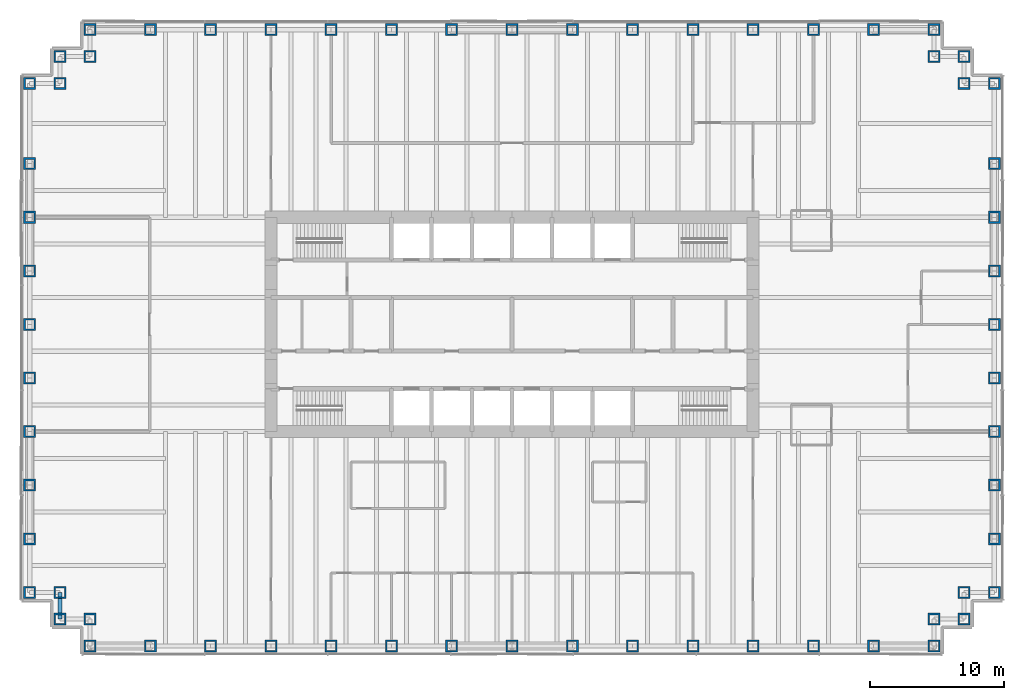
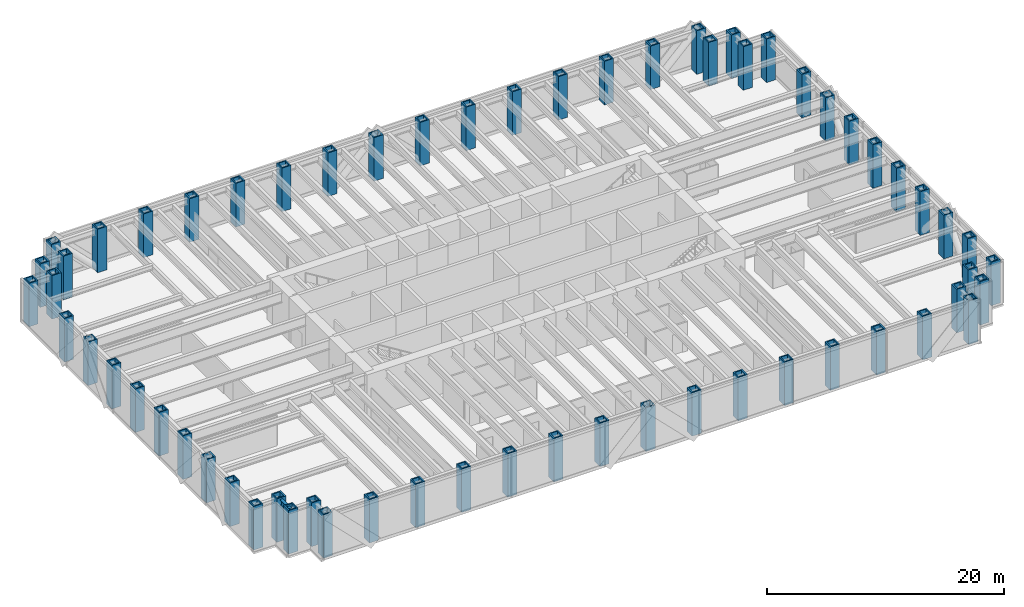
# One storey, part 1 of 13: 62 columns, 1 beam.
"""IFC4 building model written with IfcOpenShell, lengths in metres."""

from ifc_helpers import new_model, si_unit, direction, frame, origin, origin_2d, place, context, subcontext, project, spatial, hollow_rectangle, i_section, extrude, material, material_profile, profile_set, type_object, element, save


model = new_model("IFC4")

# Units and contexts
model_context = context("Model", 3, precision=1e-05, world=origin(), true_north=direction((0.0, 1.0)))
body_context = subcontext(model_context, "Body", "Model", "MODEL_VIEW")
ifc_project = project(units=[si_unit("LENGTHUNIT", "METRE"), si_unit("AREAUNIT", "SQUARE_METRE"), si_unit("VOLUMEUNIT", "CUBIC_METRE"), si_unit("PLANEANGLEUNIT", "RADIAN"), si_unit("MASSUNIT", "GRAM", prefix="KILO")], contexts=[model_context])

# Site, building, storey
site_placement = place(None, origin())
site = spatial("IfcSite", under=ifc_project, at=site_placement, CompositionType="ELEMENT")
building_placement = place(site_placement, origin())
building = spatial("IfcBuilding", under=site, at=building_placement, Name="Rheinbord Bourse Tower", CompositionType="ELEMENT")
storey_placement = place(building_placement, frame((0.0, 0.0, 27.5)))
storey = spatial("IfcBuildingStorey", under=building, at=storey_placement, Name="L05", CompositionType="ELEMENT", Elevation=27.5)

# Columns
ifc_material_1 = material(Name="Steel S460M", Category="steel")
ifc_material_profile_1 = material_profile(ifc_material_1, hollow_rectangle(XDim=0.89990234375, YDim=0.89990234375, WallThickness=0.1201171875, at=origin_2d()), Name="BOX 900x900x120")
ifc_profile_set_1 = profile_set([ifc_material_profile_1], Name="Steel S460M")
column_type = type_object("IfcColumnType", Name="TUBE COLUMN BOX 900x900x120", PredefinedType="COLUMN", material=ifc_profile_set_1)
for number, where, z_axis, x_axis, name in (
    (1, (4.5, 0.0, 0.0), (0.0, 0.0, 1.0), (0.0, 1.0, 0.0), "Column SW-E L05"),
    (2, (9.0, 0.0, 0.0), (0.0, 0.0, 1.0), (0.0, 1.0, 0.0), "Column S-9 L05"),
    (3, (13.5, 0.0, 0.0), (0.0, 0.0, 1.0), (0.0, 1.0, 0.0), "Column S-13.5 L05"),
    (4, (18.0, 0.0, 0.0), (0.0, 0.0, 1.0), (0.0, 1.0, 0.0), "Column S-18 L05"),
    (5, (22.5, 0.0, 0.0), (0.0, 0.0, 1.0), (0.0, 1.0, 0.0), "Column S-22.5 L05"),
    (6, (27.0, 0.0, 0.0), (0.0, 0.0, 1.0), (0.0, 1.0, 0.0), "Column S-27 L05"),
    (7, (31.5, 0.0, 0.0), (0.0, 0.0, 1.0), (0.0, 1.0, 0.0), "Column S-31.5 L05"),
    (8, (36.0, 0.0, 0.0), (0.0, 0.0, 1.0), (0.0, 1.0, 0.0), "Column S-36 L05"),
    (9, (40.5, 0.0, 0.0), (0.0, 0.0, 1.0), (0.0, 1.0, 0.0), "Column S-40.5 L05"),
    (10, (45.0, 0.0, 0.0), (0.0, 0.0, 1.0), (0.0, 1.0, 0.0), "Column S-45 L05"),
    (11, (49.5, 0.0, 0.0), (0.0, 0.0, 1.0), (0.0, 1.0, 0.0), "Column S-49.5 L05"),
    (12, (54.0, 0.0, 0.0), (0.0, 0.0, 1.0), (0.0, 1.0, 0.0), "Column S-54 L05"),
    (13, (58.5, 0.0, 0.0), (0.0, 0.0, 1.0), (0.0, 1.0, 0.0), "Column S-58.5 L05"),
    (14, (63.0, 0.0, 0.0), (0.0, 0.0, 1.0), (0.0, 1.0, 0.0), "Column S-63 L05"),
    (15, (67.5, 0.0, 0.0), (0.0, 0.0, 1.0), (0.0, 1.0, 0.0), "Column SE-E L05"),
    (16, (67.5, 2.0, 0.0), (0.0, 0.0, 1.0), (0.0, 1.0, 0.0), "Column SE-D L05"),
    (17, (69.75, 2.0, 0.0), (0.0, 0.0, 1.0), (1.0, 0.0, 0.0), "Column SE-C L05"),
    (18, (69.75, 4.0, 0.0), (0.0, 0.0, 1.0), (1.0, 0.0, 0.0), "Column SE-B L05"),
    (19, (72.0, 4.0, 0.0), (0.0, 0.0, 1.0), (1.0, 0.0, 0.0), "Column SE-A L05"),
    (20, (72.0, 8.0, 0.0), (0.0, 0.0, 1.0), (1.0, 0.0, 0.0), "Column E-8 L05"),
    (21, (72.0, 12.0, 0.0), (0.0, 0.0, 1.0), (1.0, 0.0, 0.0), "Column E-12 L05"),
    (22, (72.0, 16.0, 0.0), (0.0, 0.0, 1.0), (1.0, 0.0, 0.0), "Column E-16 L05"),
    (23, (72.0, 20.0, 0.0), (0.0, 0.0, 1.0), (1.0, 0.0, 0.0), "Column E-20 L05"),
    (24, (72.0, 24.0, 0.0), (0.0, 0.0, 1.0), (1.0, 0.0, 0.0), "Column E-24 L05"),
    (25, (72.0, 28.0, 0.0), (0.0, 0.0, 1.0), (1.0, 0.0, 0.0), "Column E-28 L05"),
    (26, (72.0, 32.0, 0.0), (0.0, 0.0, 1.0), (1.0, 0.0, 0.0), "Column E-32 L05"),
    (27, (72.0, 36.0, 0.0), (0.0, 0.0, 1.0), (1.0, 0.0, 0.0), "Column E-36 L05"),
    (28, (72.0, 42.0, 0.0), (0.0, 0.0, 1.0), (1.0, 0.0, 0.0), "Column NE-A L05"),
    (29, (69.75, 42.0, 0.0), (0.0, 0.0, 1.0), (1.0, 0.0, 0.0), "Column NE-B L05"),
    (30, (69.75, 44.0, 0.0), (0.0, 0.0, 1.0), (1.0, 0.0, 0.0), "Column NE-C L05"),
    (31, (67.5, 44.0, 0.0), (0.0, 0.0, 1.0), (0.0, 1.0, 0.0), "Column NE-D L05"),
    (32, (67.5, 46.0, 0.0), (0.0, 0.0, 1.0), (0.0, 1.0, 0.0), "Column NE-E L05"),
    (33, (63.0, 46.0, 0.0), (0.0, 0.0, 1.0), (0.0, 1.0, 0.0), "Column N-63 L05"),
    (34, (58.5, 46.0, 0.0), (0.0, 0.0, 1.0), (0.0, 1.0, 0.0), "Column N-58.5 L05"),
    (35, (54.0, 46.0, 0.0), (0.0, 0.0, 1.0), (0.0, 1.0, 0.0), "Column N-54 L05"),
    (36, (49.5, 46.0, 0.0), (0.0, 0.0, 1.0), (0.0, 1.0, 0.0), "Column N-49.5 L05"),
    (37, (45.0, 46.0, 0.0), (0.0, 0.0, 1.0), (0.0, 1.0, 0.0), "Column N-45 L05"),
    (38, (40.5, 46.0, 0.0), (0.0, 0.0, 1.0), (0.0, 1.0, 0.0), "Column N-40.5 L05"),
    (39, (36.0, 46.0, 0.0), (0.0, 0.0, 1.0), (0.0, 1.0, 0.0), "Column N-36 L05"),
    (40, (31.5, 46.0, 0.0), (0.0, 0.0, 1.0), (0.0, 1.0, 0.0), "Column N-31.5 L05"),
    (41, (27.0, 46.0, 0.0), (0.0, 0.0, 1.0), (0.0, 1.0, 0.0), "Column N-27 L05"),
    (42, (22.5, 46.0, 0.0), (0.0, 0.0, 1.0), (0.0, 1.0, 0.0), "Column N-22.5 L05"),
    (43, (18.0, 46.0, 0.0), (0.0, 0.0, 1.0), (0.0, 1.0, 0.0), "Column N-18 L05"),
    (44, (13.5, 46.0, 0.0), (0.0, 0.0, 1.0), (0.0, 1.0, 0.0), "Column N-13.5 L05"),
    (45, (9.0, 46.0, 0.0), (0.0, 0.0, 1.0), (0.0, 1.0, 0.0), "Column N-9 L05"),
    (46, (4.5, 46.0, 0.0), (0.0, 0.0, 1.0), (0.0, 1.0, 0.0), "Column NW-E L05"),
    (47, (4.5, 44.0, 0.0), (0.0, 0.0, 1.0), (0.0, 1.0, 0.0), "Column NW-D L05"),
    (48, (2.25, 44.0, 0.0), (0.0, 0.0, 1.0), (1.0, 0.0, 0.0), "Column NW-C L05"),
    (49, (2.25, 42.0, 0.0), (0.0, 0.0, 1.0), (1.0, 0.0, 0.0), "Column NW-B L05"),
    (50, (0.0, 42.0, 0.0), (0.0, 0.0, 1.0), (1.0, 0.0, 0.0), "Column NW-A L05"),
    (51, (0.0, 36.0, 0.0), (0.0, 0.0, 1.0), (1.0, 0.0, 0.0), "Column W-36 L05"),
    (52, (0.0, 32.0, 0.0), (0.0, 0.0, 1.0), (1.0, 0.0, 0.0), "Column W-32 L05"),
    (53, (0.0, 28.0, 0.0), (0.0, 0.0, 1.0), (1.0, 0.0, 0.0), "Column W-28 L05"),
    (54, (0.0, 24.0, 0.0), (0.0, 0.0, 1.0), (1.0, 0.0, 0.0), "Column W-24 L05"),
    (55, (0.0, 20.0, 0.0), (0.0, 0.0, 1.0), (1.0, 0.0, 0.0), "Column W-20 L05"),
    (56, (0.0, 16.0, 0.0), (0.0, 0.0, 1.0), (1.0, 0.0, 0.0), "Column W-16 L05"),
    (57, (0.0, 12.0, 0.0), (0.0, 0.0, 1.0), (1.0, 0.0, 0.0), "Column W-12 L05"),
    (58, (0.0, 8.0, 0.0), (0.0, 0.0, 1.0), (1.0, 0.0, 0.0), "Column W-8 L05"),
    (59, (0.0, 4.0, 0.0), (0.0, 0.0, 1.0), (1.0, 0.0, 0.0), "Column SW-A L05"),
    (60, (2.25, 4.0, 0.0), (0.0, 0.0, 1.0), (1.0, 0.0, 0.0), "Column SW-B L05"),
    (61, (2.25, 2.0, 0.0), (0.0, 0.0, 1.0), (1.0, 0.0, 0.0), "Column SW-C L05"),
    (62, (4.5, 2.0, 0.0), (0.0, 0.0, 1.0), (0.0, 1.0, 0.0), "Column SW-D L05"),
):
    element("IfcColumn", number, at=place(storey_placement, frame(where, z_axis=z_axis, x_axis=x_axis)), inside=storey, type_object=column_type, Name=name, PredefinedType="COLUMN", context=body_context, shape_type="SweptSolid", body=[
        extrude(hollow_rectangle(XDim=0.89990234375, YDim=0.89990234375, WallThickness=0.1201171875, at=origin_2d()), origin(), (0.0, 0.0, 1.0), 4.5),
    ])

# Beam
ifc_material_2 = material(Name="Steel S460", Category="steel")
ifc_material_profile_2 = material_profile(ifc_material_2, i_section(OverallWidth=0.304931640625, OverallDepth=0.6201171875, WebThickness=0.02099609375, FlangeThickness=0.0400390625, at=origin_2d()), Name="HEM 600")
ifc_profile_set_2 = profile_set([ifc_material_profile_2], Name="Steel S460")
beam_type = type_object("IfcBeamType", Name="SPANDREL HEM 600", PredefinedType="SPANDREL", material=ifc_profile_set_2)
beam_placement = place(storey_placement, frame((2.25, 4.0, 4.010009765625), z_axis=(0.0, -1.0, 0.0), x_axis=(1.0, 0.0, 0.0)))
element("IfcBeam", 63, at=beam_placement, inside=storey, type_object=beam_type, Name="Spandrel SW-B-SW-C under L06", PredefinedType="SPANDREL", context=body_context, shape_type="SweptSolid", body=[
    extrude(i_section(OverallWidth=0.304931640625, OverallDepth=0.6201171875, WebThickness=0.02099609375, FlangeThickness=0.0400390625, at=origin_2d()), origin(), (0.0, 0.0, 1.0), 2.0),
])

save(model, "model.ifc")
